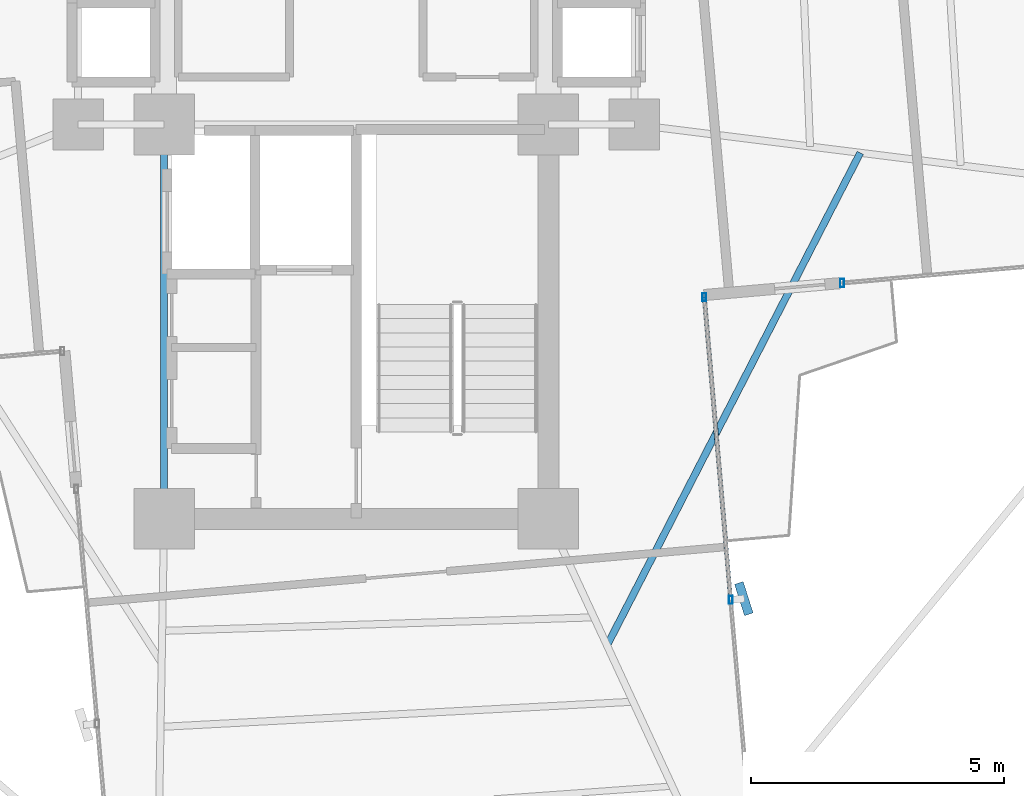
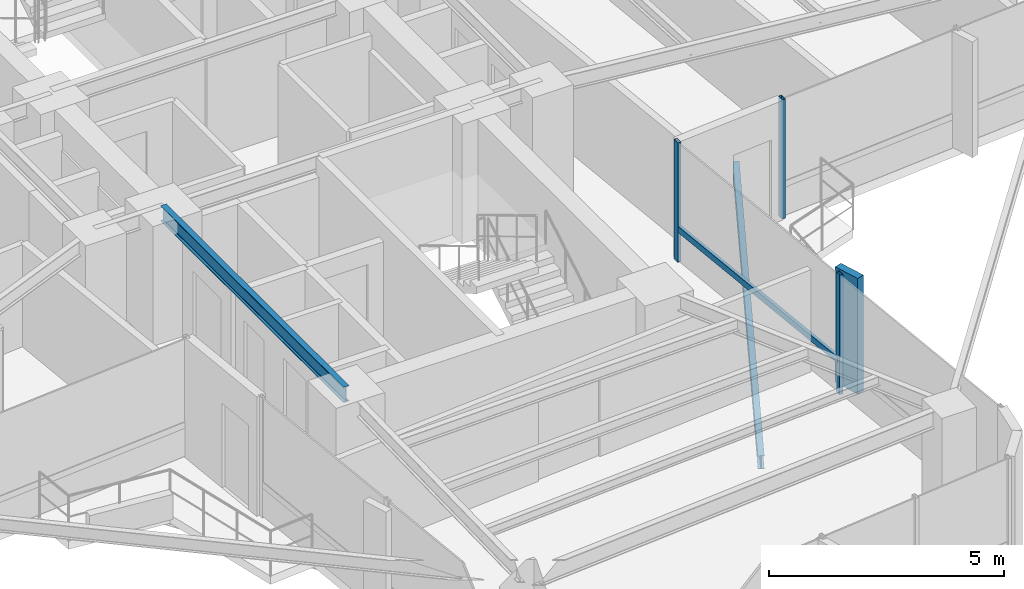
# One storey, part 7 of 24: 5 members, 2 beams, 2 elements without a shape of their own.
"""IFC4 building model written with IfcOpenShell, lengths in metres."""

from ifc_helpers import new_model, si_unit, direction, frame, origin, origin_2d, place, context, subcontext, project, spatial, rectangle, hollow_rectangle, i_section, extrude, source, transform, mapped, material, material_profile, profile_set, type_object, element, aggregate, save


model = new_model("IFC4")

# Units and contexts
model_context = context("Model", 3, precision=1e-05, world=origin(), true_north=direction((0.0, 1.0)))
body_context = subcontext(model_context, "Body", "Model", "MODEL_VIEW")
ifc_project = project(units=[si_unit("LENGTHUNIT", "METRE"), si_unit("AREAUNIT", "SQUARE_METRE"), si_unit("VOLUMEUNIT", "CUBIC_METRE"), si_unit("PLANEANGLEUNIT", "RADIAN"), si_unit("MASSUNIT", "GRAM", prefix="KILO")], contexts=[model_context])

# Site, building, storey
site_placement = place(None, origin())
site = spatial("IfcSite", under=ifc_project, at=site_placement, CompositionType="ELEMENT")
building_placement = place(site_placement, origin())
building = spatial("IfcBuilding", under=site, at=building_placement, Name="Sahyath Konkavel Grand Hotel", CompositionType="ELEMENT")
storey_placement = place(building_placement, frame((0.0, 0.0, 153.949951171875)))
storey = spatial("IfcBuildingStorey", under=building, at=storey_placement, Name="L42", CompositionType="ELEMENT", Elevation=153.949951171875)

# Beam
ifc_material_1 = material(Name="Steel E350", Category="steel")
ifc_material_profile_1 = material_profile(ifc_material_1, i_section(OverallWidth=0.139892578125, OverallDepth=0.39990234375, WebThickness=0.0087890625, FlangeThickness=0.01611328125, FilletRadius=0.013916015625, at=origin_2d()), Name="ISMB 400")
ifc_profile_set_1 = profile_set([ifc_material_profile_1], Name="Steel E350")
beam_type_1 = type_object("IfcBeamType", Name="BM-ISMB400", PredefinedType="BEAM", material=ifc_profile_set_1)
shared_shape_1 = source(origin(), body_context, "Body", "SweptSolid", [
    extrude(i_section(OverallWidth=0.139892578125, OverallDepth=0.39990234375, WebThickness=0.0087890625, FlangeThickness=0.01611328125, FilletRadius=0.013916015625, at=origin_2d()), origin(), (0.0, 0.0, 1.0), 7.800048828125),
])
beam_1_placement = place(storey_placement, frame((-3.800048828125, -10.199951171875, 2.91015625), z_axis=(0.0, 1.0, 0.0), x_axis=(-1.0, 0.0, 0.0)))
element("IfcBeam", 1, at=beam_1_placement, inside=storey, type_object=beam_type_1, Name="str:bm:L42:SC-W", PredefinedType="BEAM", context=body_context, shape_type="MappedRepresentation", body=[
    mapped(shared_shape_1, transform((0.0, 0.0, 0.0), scale=1.0)),
])

# Curtain wall, member
ifc_material_2 = material(Name="Anodised Bronze Aluminium & Low-E Glazing", Category="aluminium")
curtain_wall_type = type_object("IfcCurtainWallType", Name="CW-ZONE3", PredefinedType="NOTDEFINED", material=ifc_material_2)
curtain_wall_1_placement = place(storey_placement, origin())
curtain_wall_1 = element("IfcCurtainWall", 2, at=curtain_wall_1_placement, inside=storey, type_object=curtain_wall_type, Name="L42 Unitised Curtain Wall F31", PredefinedType="NOTDEFINED")
ifc_material_3 = material(Name="Warm Buff Sandstone Cladding on Concrete C50/60", Category="masonry")
ifc_material_profile_2 = material_profile(ifc_material_3, rectangle(XDim=0.179931640625, YDim=0.64990234375, at=origin_2d()), Name="FIN 180x650")
ifc_profile_set_2 = profile_set([ifc_material_profile_2], Name="Warm Buff Sandstone Cladding on Concrete C50/60")
member_type_1 = type_object("IfcMemberType", Name="FIN-SANDSTONE-650", PredefinedType="MULLION", material=ifc_profile_set_2)
shared_shape_2 = source(origin(), body_context, "Body", "SweptSolid", [
    extrude(rectangle(XDim=0.179931640625, YDim=0.64990234375, at=origin_2d()), origin(), (0.0, 0.0, 1.0), 3.010009765625),
])
member_1_placement = place(storey_placement, frame((7.66552734375, -11.776611328125, 0.050048828125), z_axis=(0.0, 0.0, 1.0), x_axis=(0.953032216634, 0.302868938746, 0.0)))
member_1 = element("IfcMember", 3, at=member_1_placement, type_object=member_type_1, Name="L42 Sandstone Vertical Solar Fin FIN F31-1", PredefinedType="MULLION", context=body_context, shape_type="MappedRepresentation", body=[
    mapped(shared_shape_2, transform((0.0, 0.0, 0.0), scale=1.0)),
])

curtain_wall_2_placement = place(storey_placement, origin())
curtain_wall_2 = element("IfcCurtainWall", 4, at=curtain_wall_2_placement, inside=storey, type_object=curtain_wall_type, Name="L42 Unitised Curtain Wall F0", PredefinedType="NOTDEFINED")
ifc_material_4 = material(Name="Anodised Bronze Aluminium", Category="aluminium")
ifc_material_profile_3 = material_profile(ifc_material_4, hollow_rectangle(XDim=0.080078125, YDim=0.159912109375, WallThickness=0.006103515625, at=origin_2d()), Name="RHS 160x80x6")
ifc_profile_set_3 = profile_set([ifc_material_profile_3], Name="Anodised Bronze Aluminium")
member_type_2 = type_object("IfcMemberType", Name="CW-MUL-160", PredefinedType="MULLION", material=ifc_profile_set_3)
shared_shape_3 = source(origin(), body_context, "Body", "SweptSolid", [
    extrude(hollow_rectangle(XDim=0.080078125, YDim=0.159912109375, WallThickness=0.006103515625, at=origin_2d()), origin(), (0.0, 0.0, 1.0), 3.110107421875),
])
member_2_placement = place(storey_placement, frame((9.60888671875, -5.53369140625, 0.0), z_axis=(0.0, 0.0, 1.0), x_axis=(1.0, 0.0, 0.0)))
member_2 = element("IfcMember", 5, at=member_2_placement, type_object=member_type_2, Name="L42 Curtain Wall Mullion F0-0", PredefinedType="MULLION", context=body_context, shape_type="MappedRepresentation", body=[
    mapped(shared_shape_3, transform((0.0, 0.0, 0.0), scale=1.0)),
])
aggregate(curtain_wall_2, [member_2])

# Member
member_3_placement = place(storey_placement, frame((7.406494140625, -11.79931640625, 0.0), z_axis=(0.0, 0.0, 1.0), x_axis=(1.0, 0.0, 0.0)))
member_3 = element("IfcMember", 6, at=member_3_placement, type_object=member_type_2, Name="L42 Curtain Wall Mullion F31-1", PredefinedType="MULLION", context=body_context, shape_type="MappedRepresentation", body=[
    mapped(shared_shape_3, transform((0.0, 0.0, 0.0), scale=1.0)),
])

member_4_placement = place(storey_placement, frame((6.8828125, -5.812255859375, 0.0), z_axis=(0.0, 0.0, 1.0), x_axis=(1.0, 0.0, 0.0)))
member_4 = element("IfcMember", 7, at=member_4_placement, type_object=member_type_2, Name="L42 Curtain Wall Mullion F31-2", PredefinedType="MULLION", context=body_context, shape_type="MappedRepresentation", body=[
    mapped(shared_shape_3, transform((0.0, 0.0, 0.0), scale=1.0)),
])

ifc_material_profile_4 = material_profile(ifc_material_4, hollow_rectangle(XDim=0.080078125, YDim=0.159912109375, WallThickness=0.006103515625, at=origin_2d()), Name="RHS 160x80x6")
ifc_profile_set_4 = profile_set([ifc_material_profile_4], Name="Anodised Bronze Aluminium")
member_type_3 = type_object("IfcMemberType", Name="CW-TRN-160", PredefinedType="USERDEFINED", material=ifc_profile_set_4)
shared_shape_4 = source(origin(), body_context, "Body", "SweptSolid", [
    extrude(hollow_rectangle(XDim=0.080078125, YDim=0.159912109375, WallThickness=0.006103515625, at=origin_2d()), origin(), (0.0, 0.0, 1.0), 6.010009765625),
])
member_5_placement = place(storey_placement, frame((7.406494140625, -11.79931640625, 0.85009765625), z_axis=(-0.087136210597, 0.996196406741, 0.0), x_axis=(-0.996196406741, -0.087136210597, 0.0)))
member_5 = element("IfcMember", 8, at=member_5_placement, type_object=member_type_3, Name="L42 Curtain Wall Transom F31-1-spandrel", ObjectType="TRANSOM", PredefinedType="USERDEFINED", context=body_context, shape_type="MappedRepresentation", body=[
    mapped(shared_shape_4, transform((0.0, 0.0, 0.0), scale=1.0)),
])

aggregate(curtain_wall_1, [member_3, member_1, member_4, member_5])

# Beam
ifc_material_profile_5 = material_profile(ifc_material_1, i_section(OverallWidth=0.139892578125, OverallDepth=0.35009765625, WebThickness=0.008056640625, FlangeThickness=0.01416015625, FilletRadius=0.013916015625, at=origin_2d()), Name="ISMB 350")
ifc_profile_set_5 = profile_set([ifc_material_profile_5], Name="Steel E350")
beam_type_2 = type_object("IfcBeamType", Name="BM-BALC-CANT", PredefinedType="BEAM", material=ifc_profile_set_5)
shared_shape_5 = source(origin(), body_context, "Body", "SweptSolid", [
    extrude(i_section(OverallWidth=0.139892578125, OverallDepth=0.35009765625, WebThickness=0.008056640625, FlangeThickness=0.01416015625, FilletRadius=0.013916015625, at=origin_2d()), origin(), (0.0, 0.0, 1.0), 10.95556640625),
])
beam_2_placement = place(storey_placement, frame((4.959716796875, -12.703125, -0.4150390625), z_axis=(0.457186878355, 0.889370652912, 0.0), x_axis=(-0.889370652912, 0.457186878355, 0.0)))
element("IfcBeam", 9, at=beam_2_placement, inside=storey, type_object=beam_type_2, Name="L42 Balcony Cantilever Support Beam SE", PredefinedType="BEAM", context=body_context, shape_type="MappedRepresentation", body=[
    mapped(shared_shape_5, transform((0.0, 0.0, 0.0), scale=1.0)),
])

save(model, "model.ifc")
